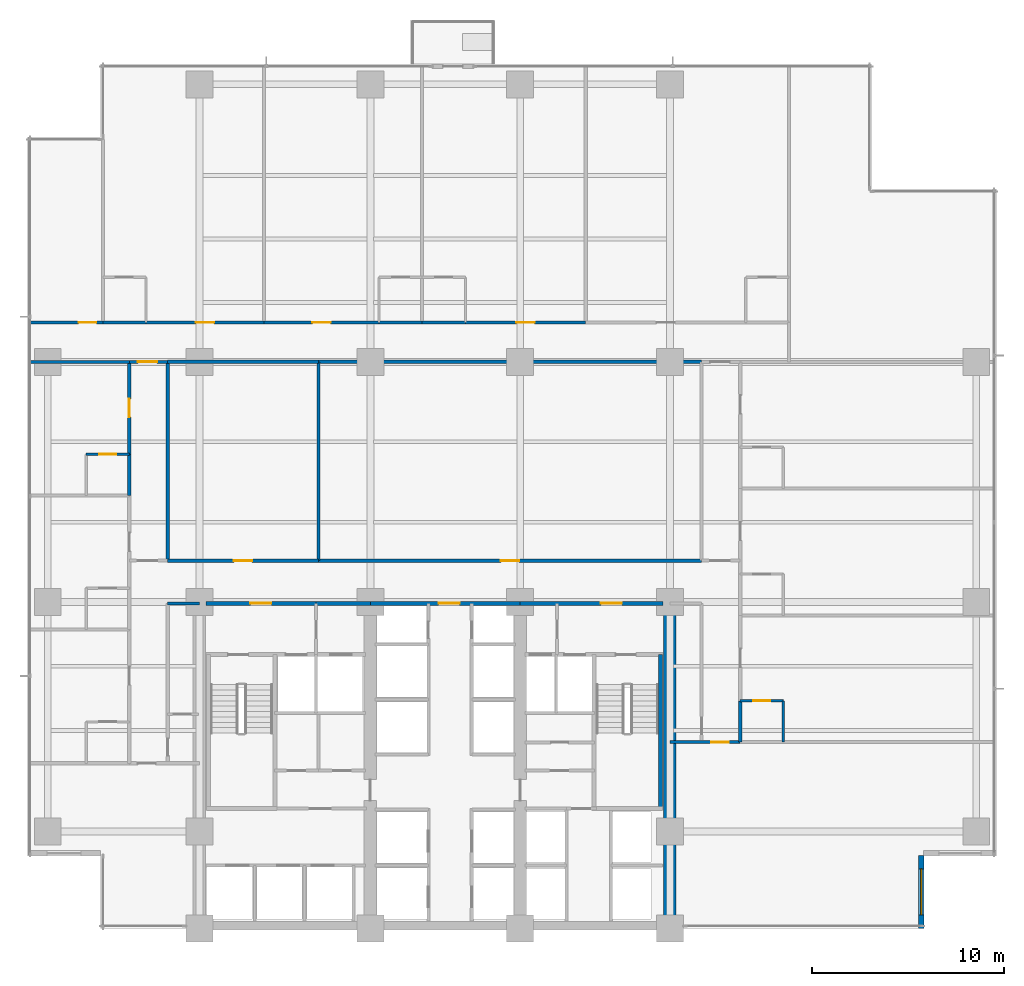
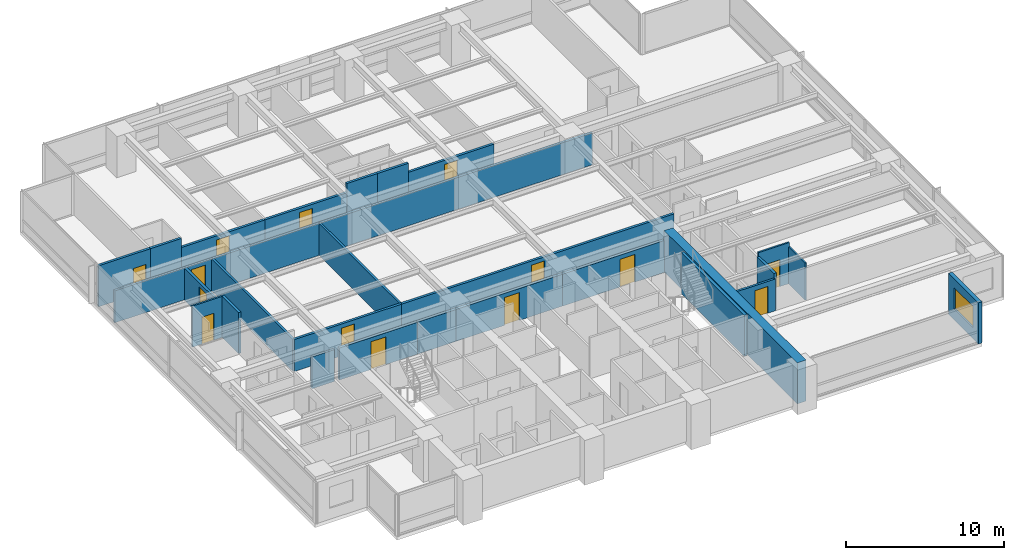
# One storey, part 9 of 16: 30 walls, 14 doors, 1 window, 15 openings.
"""IFC4 building model written with IfcOpenShell, lengths in metres."""

import ifcopenshell
import ifcopenshell.guid

model = None  # the IFC model being written
_history = None  # IfcOwnerHistory: only IFC2X3 demands one
_inside = {}  # id of a spatial element -> (the spatial element, [elements in it])
_under = {}  # id of a project, library or spatial element -> (it, [spatial elements below it])
_declared = {}  # id of a project -> (the project, [libraries it declares])
_typed = {}  # id of a type object -> (the type object, [elements of that type])
_made_of = {}  # id of a material, layer set ... -> (it, [elements and type objects made of it])


def new_model(schema):
    """Start an empty IFC model of exactly this schema.

    Asked for "IFC4X3", IfcOpenShell would pick the latest addendum, in which some entities
    have other attributes; the version numbers below select the first issue.
    IFC2X3 requires an IfcOwnerHistory on every rooted entity: one is made here for all.
    """
    global model, _history
    if schema == "IFC4X3":
        model = ifcopenshell.file(schema_version=(4, 3, 0, 0))
    else:
        model = ifcopenshell.file(schema=schema)
    _inside.clear()
    _under.clear()
    _declared.clear()
    _typed.clear()
    _made_of.clear()
    _history = None
    if model.schema == "IFC2X3":
        org = make("IfcOrganization", Name="unknown")
        user = make(
            "IfcPersonAndOrganization",
            ThePerson=make("IfcPerson", FamilyName="unknown"),
            TheOrganization=org,
        )
        app = make(
            "IfcApplication",
            ApplicationDeveloper=org,
            Version="unknown",
            ApplicationFullName="unknown",
            ApplicationIdentifier="unknown",
        )
        _history = make(
            "IfcOwnerHistory",
            OwningUser=user,
            OwningApplication=app,
            ChangeAction="ADDED",
            CreationDate=0,
        )
    return model


def make(cls, **values):
    """One entity of the class cls with the attributes given. An attribute that is None is left unset."""
    return model.create_entity(
        cls, **{name: value for name, value in values.items() if value is not None}
    )


def rooted(cls, **values):
    """An entity with a GlobalId (a new one), such as an element, a storey or a relation."""
    return make(cls, GlobalId=ifcopenshell.guid.new(), OwnerHistory=_history, **values)


def si_unit(unit_type, name, prefix=None):
    """IfcSIUnit, for example si_unit("LENGTHUNIT", "METRE", prefix="MILLI")."""
    return make("IfcSIUnit", UnitType=unit_type, Prefix=prefix, Name=name)


def assignment(units):
    """IfcUnitAssignment: the units of a project."""
    return None if units is None else make("IfcUnitAssignment", Units=units)


def point(xyz):
    """IfcCartesianPoint."""
    return None if xyz is None else make("IfcCartesianPoint", Coordinates=xyz)


def direction(xyz):
    """IfcDirection."""
    return None if xyz is None else make("IfcDirection", DirectionRatios=xyz)


def frame(location, z_axis=None, x_axis=None):
    """IfcAxis2Placement3D, a coordinate frame: its origin and axes. An axis left out is left unset."""
    return make(
        "IfcAxis2Placement3D",
        Location=point(location),
        Axis=direction(z_axis),
        RefDirection=direction(x_axis),
    )


def frame_2d(location, x_axis=None):
    """IfcAxis2Placement2D, a coordinate frame in the plane: its origin and x axis."""
    return make(
        "IfcAxis2Placement2D", Location=point(location), RefDirection=direction(x_axis)
    )


def origin():
    """The frame at (0, 0, 0) with its axes left unset."""
    return frame((0.0, 0.0, 0.0))


def place(relative_to, where):
    """IfcLocalPlacement: puts the frame where relative to a parent placement (None: the world)."""
    return make(
        "IfcLocalPlacement", PlacementRelTo=relative_to, RelativePlacement=where
    )


def context(
    kind, dimensions, precision=None, world=None, true_north=None, identifier=None
):
    """IfcGeometricRepresentationContext, for example the 3D "Model" context."""
    return make(
        "IfcGeometricRepresentationContext",
        ContextIdentifier=identifier,
        ContextType=kind,
        CoordinateSpaceDimension=dimensions,
        Precision=precision,
        WorldCoordinateSystem=world,
        TrueNorth=true_north,
    )


def subcontext(parent, identifier, kind, view, scale=None):
    """IfcGeometricRepresentationSubContext, for example "Body" below "Model"."""
    return make(
        "IfcGeometricRepresentationSubContext",
        ContextIdentifier=identifier,
        ContextType=kind,
        ParentContext=parent,
        TargetScale=scale,
        TargetView=view,
    )


def project(units=None, contexts=None):
    """IfcProject with its units and contexts."""
    return rooted(
        "IfcProject",
        Name="project",
        RepresentationContexts=contexts,
        UnitsInContext=assignment(units),
    )


def spatial(cls, under=None, at=None, **own):
    """A site, building, storey or space (cls), placed at a placement, below another one or the project."""
    s = rooted(cls, ObjectPlacement=at, **own)
    if under is not None:
        _under.setdefault(under.id(), (under, []))[1].append(s)
    return s


def profile(cls, at=None, kind="AREA", **sizes):
    """A parametric profile (cls). Its sizes go by their IFC names, for example OverallWidth=200.0."""
    return make(cls, ProfileType=kind, Position=at, **sizes)


def rectangle(**sizes):
    """IfcRectangleProfileDef."""
    return profile("IfcRectangleProfileDef", **sizes)


def extrude(swept, where, along, depth):
    """IfcExtrudedAreaSolid: the profile swept, set in the frame where, extruded along a direction by depth."""
    return make(
        "IfcExtrudedAreaSolid",
        SweptArea=swept,
        Position=where,
        ExtrudedDirection=direction(along),
        Depth=depth,
    )


def shape(context_of_items, identifier, shape_type, items):
    """IfcShapeRepresentation: the items that make up one representation, for example the "Body"."""
    return make(
        "IfcShapeRepresentation",
        ContextOfItems=context_of_items,
        RepresentationIdentifier=identifier,
        RepresentationType=shape_type,
        Items=items,
    )


def material(Name=None, Category=None):
    """IfcMaterial."""
    return make("IfcMaterial", Name=Name, Category=Category)


def layer(
    of_material, thickness, ventilated=None, Name=None, Category=None, Priority=None
):
    """IfcMaterialLayer: one layer of a wall or slab, of a material (None: an air gap)."""
    return make(
        "IfcMaterialLayer",
        Material=of_material,
        LayerThickness=thickness,
        IsVentilated=ventilated,
        Name=Name,
        Category=Category,
        Priority=Priority,
    )


def layer_set(layers, Name=None):
    """IfcMaterialLayerSet."""
    return make("IfcMaterialLayerSet", MaterialLayers=layers, LayerSetName=Name)


def made_of(thing, what):
    """Note that an element or type object is made of a material, layer set ...; save() writes the relation."""
    if what is not None:
        _made_of.setdefault(what.id(), (what, []))[1].append(thing)
    return thing


def type_object(cls, material=None, **own):
    """A type object (cls), such as IfcWallType, which elements share."""
    return made_of(rooted(cls, **own), material)


def element(
    cls,
    number,
    at=None,
    inside=None,
    cuts=None,
    type_object=None,
    material=None,
    context=None,
    identifier="Body",
    shape_type=None,
    held_by="IfcProductDefinitionShape",
    body=None,
    shapes=None,
    **own,
):
    """One element of the class cls, such as IfcWall. Its Tag is "e" and its number.

    at: its placement. inside: the storey or other place that contains it. cuts: it is an
    opening in that element (IfcRelVoidsElement). A single representation is given by context,
    identifier, shape_type and body (its items); several are given by shapes. held_by: the class
    of the entity that holds the representations. save() writes the other relations.
    """
    e = rooted(cls, Tag="e%d" % number, ObjectPlacement=at, **own)
    if body is not None:
        shapes = [shape(context, identifier, shape_type, body)]
    if shapes is not None:
        e.Representation = make(held_by, Representations=shapes)
    if inside is not None:
        _inside.setdefault(inside.id(), (inside, []))[1].append(e)
    if cuts is not None:
        rooted(
            "IfcRelVoidsElement", RelatingBuildingElement=cuts, RelatedOpeningElement=e
        )
    if type_object is not None:
        _typed.setdefault(type_object.id(), (type_object, []))[1].append(e)
    return made_of(e, material)


def fill(opening, filler):
    """IfcRelFillsElement: the door or window that sits in an opening."""
    return rooted(
        "IfcRelFillsElement",
        RelatingOpeningElement=opening,
        RelatedBuildingElement=filler,
    )


def aggregate(whole, parts):
    """IfcRelAggregates: a whole, such as a stair, and the parts it consists of."""
    return rooted("IfcRelAggregates", RelatingObject=whole, RelatedObjects=parts)


def save(model, path):
    """Write the relations noted so far, then the file.

    IfcRelAggregates (storeys below a building ...), IfcRelContainedInSpatialStructure (elements
    in a storey), IfcRelDefinesByType, IfcRelAssociatesMaterial and IfcRelDeclares: one each for
    every whole, place, type object, material and project.
    """
    for whole, parts in _under.values():
        aggregate(whole, parts)
    for where, things in _inside.values():
        rooted(
            "IfcRelContainedInSpatialStructure",
            RelatedElements=things,
            RelatingStructure=where,
        )
    for kind, things in _typed.values():
        rooted("IfcRelDefinesByType", RelatedObjects=things, RelatingType=kind)
    for what, things in _made_of.values():
        rooted("IfcRelAssociatesMaterial", RelatedObjects=things, RelatingMaterial=what)
    for by, libraries in _declared.values():
        rooted("IfcRelDeclares", RelatingContext=by, RelatedDefinitions=libraries)
    model.write(path)


model = new_model("IFC4")

# Units and contexts
model_context = context("Model", 3, precision=1e-05, world=origin(), true_north=direction((0.0, 1.0)))
body_context = subcontext(model_context, "Body", "Model", "MODEL_VIEW")
ifc_project = project(units=[si_unit("LENGTHUNIT", "METRE"), si_unit("AREAUNIT", "SQUARE_METRE"), si_unit("VOLUMEUNIT", "CUBIC_METRE"), si_unit("PLANEANGLEUNIT", "RADIAN"), si_unit("MASSUNIT", "GRAM", prefix="KILO")], contexts=[model_context])

# Site, building, storey
site_placement = place(None, origin())
site = spatial("IfcSite", under=ifc_project, at=site_placement, CompositionType="ELEMENT")
building_placement = place(site_placement, origin())
building = spatial("IfcBuilding", under=site, at=building_placement, Name="Qalmaran Belvedere Hotel", CompositionType="ELEMENT")
storey_placement = place(building_placement, frame((0.0, 0.0, 71.89990234375)))
storey = spatial("IfcBuildingStorey", under=building, at=storey_placement, Name="L18", CompositionType="ELEMENT", Elevation=71.89990234375)

# Wall
ifc_material_1 = material(Name="Concrete C60/75", Category="concrete")
ifc_layer_1 = layer(ifc_material_1, 0.64990234375, Name="Concrete C60/75")
ifc_layer_set_1 = layer_set([ifc_layer_1], Name="Concrete C60/75")
wall_type_1 = type_object("IfcWallType", Name="WL-CORE-650-C60", PredefinedType="SHEAR", material=ifc_layer_set_1)
wall_1_placement = place(storey_placement, frame((44.800048828125, 3.5, 0.0), z_axis=(0.0, 0.0, 1.0), x_axis=(0.0, 1.0, 0.0)))
element("IfcWall", 1, at=wall_1_placement, inside=storey, type_object=wall_type_1, Name="L18 East Core Shear Wall", PredefinedType="SHEAR", context=body_context, shape_type="SweptSolid", body=[
    extrude(rectangle(XDim=16.89990234375, YDim=0.64990234375, at=frame_2d((8.449951171875, 0.0))), origin(), (0.0, 0.0, 1.0), 3.18017578125),
])

# Wall, opening, window
ifc_material_2 = material(Name="Anodised Bronze Cladding")
ifc_layer_2 = layer(ifc_material_2, 0.280029296875, Name="Anodised Bronze Cladding")
ifc_layer_set_2 = layer_set([ifc_layer_2], Name="Anodised Bronze Cladding")
wall_type_2 = type_object("IfcWallType", Name="WL-EXT-BRNZ-280", PredefinedType="SOLIDWALL", material=ifc_layer_set_2)
wall_2_placement = place(storey_placement, frame((57.8798828125, 3.5, 0.0), z_axis=(0.0, 0.0, 1.0), x_axis=(0.0, 1.0, 0.0)))
wall_2 = element("IfcWall", 2, at=wall_2_placement, inside=storey, type_object=wall_type_2, Name="L18 Corner Notch Wall 1", PredefinedType="SOLIDWALL", context=body_context, shape_type="SweptSolid", body=[
    extrude(rectangle(XDim=3.800048828125, YDim=0.280029296875, at=frame_2d((1.89990234375, 0.0))), origin(), (0.0, 0.0, 1.0), 3.18017578125),
])
opening_1_placement = place(wall_2_placement, frame((0.699951171875, 0.0, 0.85009765625)))
opening_1 = element("IfcOpeningElement", 3, at=opening_1_placement, cuts=wall_2, Name="Opening W-N24", PredefinedType="OPENING", context=body_context, shape_type="SweptSolid", body=[
    extrude(rectangle(XDim=2.39990234375, YDim=1.64990234375, at=frame_2d((1.199951171875, 0.824951171875))), frame((0.0, 0.14990234375, 0.0), z_axis=(0.0, -1.0, 0.0), x_axis=(1.0, 0.0, 0.0)), (0.0, 0.0, 1.0), 0.300048828125),
])
ifc_material_3 = material(Name="Solar-Control Double Glazing", Category="glass")
window_type = type_object("IfcWindowType", Name="WN-NTC-2400X1650", PartitioningType="SINGLE_PANEL", PredefinedType="WINDOW", material=ifc_material_3)
window_placement = place(opening_1_placement, origin())
window = element("IfcWindow", 4, at=window_placement, inside=storey, type_object=window_type, Name="L18 Corner Notch Window 1", OverallHeight=1.64990234375, OverallWidth=2.39990234375, PartitioningType="SINGLE_PANEL", PredefinedType="WINDOW", context=body_context, shape_type="SweptSolid", body=[
    extrude(rectangle(XDim=2.39990234375, YDim=1.64990234375, at=frame_2d((1.199951171875, 0.824951171875))), frame((0.0, 0.030029296875, 0.0), z_axis=(0.0, -1.0, 0.0), x_axis=(1.0, 0.0, 0.0)), (0.0, 0.0, 1.0), 0.06005859375),
])
fill(opening_1, window)

# Wall, opening, door
ifc_material_4 = material(Name="Moisture-Resistant Gypsum")
ifc_layer_3 = layer(ifc_material_4, 0.1201171875, Name="Moisture-Resistant Gypsum")
ifc_layer_set_3 = layer_set([ifc_layer_3], Name="Moisture-Resistant Gypsum")
wall_type_3 = type_object("IfcWallType", Name="WL-INT-120-BATH", PredefinedType="PARTITIONING", material=ifc_layer_set_3)
wall_3_placement = place(storey_placement, frame((14.39990234375, 28.183349609375, 0.0), z_axis=(0.0, 0.0, 1.0), x_axis=(1.0, 0.0, 0.0)))
wall_3 = element("IfcWall", 5, at=wall_3_placement, inside=storey, type_object=wall_type_3, Name="L18 Partition WL-L18-WBN02", PredefinedType="PARTITIONING", context=body_context, shape_type="SweptSolid", body=[
    extrude(rectangle(XDim=2.25, YDim=0.1201171875, at=frame_2d((1.125, 0.0))), origin(), (0.0, 0.0, 1.0), 3.18017578125),
])
opening_2_placement = place(wall_3_placement, frame((1.56494140625, 0.0, 0.0), z_axis=(0.0, 0.0, 1.0), x_axis=(-1.0, 0.0, 0.0)))
opening_2 = element("IfcOpeningElement", 6, at=opening_2_placement, cuts=wall_3, Name="Opening D-BATH", PredefinedType="OPENING", context=body_context, shape_type="SweptSolid", body=[
    extrude(rectangle(XDim=0.8798828125, YDim=2.080078125, at=frame_2d((0.43994140625, 1.0400390625))), frame((0.0, 0.070068359375, 0.0), z_axis=(0.0, -1.0, 0.0), x_axis=(1.0, 0.0, 0.0)), (0.0, 0.0, 1.0), 0.14013671875),
])
ifc_material_5 = material(Name="Engineered Oak Veneer")
door_type_1 = type_object("IfcDoorType", Name="DR-INT-BATH-880X2080", OperationType="NOTDEFINED", PredefinedType="DOOR", material=ifc_material_5)
door_1_placement = place(opening_2_placement, origin())
door_1 = element("IfcDoor", 7, at=door_1_placement, inside=storey, type_object=door_type_1, Name="L18 W Ensuite Door 03", OperationType="SINGLE_SWING_RIGHT", OverallHeight=2.080078125, OverallWidth=0.8798828125, PredefinedType="DOOR", context=body_context, shape_type="SweptSolid", body=[
    extrude(rectangle(XDim=0.8798828125, YDim=2.080078125, at=frame_2d((0.43994140625, 1.0400390625))), frame((0.0, 0.02490234375, 0.0), z_axis=(0.0, -1.0, 0.0), x_axis=(1.0, 0.0, 0.0)), (0.0, 0.0, 1.0), 0.050048828125),
])
fill(opening_2, door_1)

wall_4_placement = place(storey_placement, frame((48.449951171875, 15.35009765625, 0.0), z_axis=(0.0, 0.0, 1.0), x_axis=(1.0, 0.0, 0.0)))
wall_4 = element("IfcWall", 8, at=wall_4_placement, inside=storey, type_object=wall_type_3, Name="L18 Partition WL-L18-EBN00", PredefinedType="PARTITIONING", context=body_context, shape_type="SweptSolid", body=[
    extrude(rectangle(XDim=2.25, YDim=0.1201171875, at=frame_2d((1.125, 0.0))), origin(), (0.0, 0.0, 1.0), 3.18017578125),
])
opening_3_placement = place(wall_4_placement, frame((1.56494140625, 0.0, 0.0), z_axis=(0.0, 0.0, 1.0), x_axis=(-1.0, 0.0, 0.0)))
opening_3 = element("IfcOpeningElement", 9, at=opening_3_placement, cuts=wall_4, Name="Opening D-BATH", PredefinedType="OPENING", context=body_context, shape_type="SweptSolid", body=[
    extrude(rectangle(XDim=0.8798828125, YDim=2.080078125, at=frame_2d((0.43994140625, 1.0400390625))), frame((0.0, 0.070068359375, 0.0), z_axis=(0.0, -1.0, 0.0), x_axis=(1.0, 0.0, 0.0)), (0.0, 0.0, 1.0), 0.14013671875),
])
door_2_placement = place(opening_3_placement, origin())
door_2 = element("IfcDoor", 10, at=door_2_placement, inside=storey, type_object=door_type_1, Name="L18 E Ensuite Door 01", OperationType="SINGLE_SWING_RIGHT", OverallHeight=2.080078125, OverallWidth=0.8798828125, PredefinedType="DOOR", context=body_context, shape_type="SweptSolid", body=[
    extrude(rectangle(XDim=0.8798828125, YDim=2.080078125, at=frame_2d((0.43994140625, 1.0400390625))), frame((0.0, 0.02490234375, 0.0), z_axis=(0.0, -1.0, 0.0), x_axis=(1.0, 0.0, 0.0)), (0.0, 0.0, 1.0), 0.050048828125),
])
fill(opening_3, door_2)

# Wall
wall_5_placement = place(storey_placement, frame((50.699951171875, 13.199951171875, 0.0), z_axis=(0.0, 0.0, 1.0), x_axis=(0.0, 1.0, 0.0)))
element("IfcWall", 11, at=wall_5_placement, inside=storey, type_object=wall_type_3, Name="L18 Partition WL-L18-EBS00", PredefinedType="PARTITIONING", context=body_context, shape_type="SweptSolid", body=[
    extrude(rectangle(XDim=2.150146484375, YDim=0.1201171875, at=frame_2d((1.0751953125, 0.0))), origin(), (0.0, 0.0, 1.0), 2.862060546875),
])

# Wall, opening, door
ifc_material_6 = material(Name="Gypsum Stud Partition")
ifc_layer_4 = layer(ifc_material_6, 0.14990234375, Name="Gypsum Stud Partition")
ifc_layer_set_4 = layer_set([ifc_layer_4], Name="Gypsum Stud Partition")
wall_type_4 = type_object("IfcWallType", Name="WL-INT-150-EI60", PredefinedType="PARTITIONING", material=ifc_layer_set_4)
wall_6_placement = place(storey_placement, frame((16.64990234375, 33.0, 0.0), z_axis=(0.0, 0.0, 1.0), x_axis=(1.0, 0.0, 0.0)))
wall_6 = element("IfcWall", 12, at=wall_6_placement, inside=storey, type_object=wall_type_4, Name="L18 Partition WL-L18-XCW2", PredefinedType="PARTITIONING", context=body_context, shape_type="SweptSolid", body=[
    extrude(rectangle(XDim=2.0, YDim=0.14990234375, at=frame_2d((1.0, 0.0))), origin(), (0.0, 0.0, 1.0), 2.47021484375),
])
opening_4_placement = place(wall_6_placement, frame((0.449951171875, 0.0, 0.0)))
opening_4 = element("IfcOpeningElement", 13, at=opening_4_placement, cuts=wall_6, Name="Opening FD90B", PredefinedType="OPENING", context=body_context, shape_type="SweptSolid", body=[
    extrude(rectangle(XDim=1.0, YDim=2.14990234375, at=frame_2d((0.5, 1.074951171875))), frame((0.0, 0.0849609375, 0.0), z_axis=(0.0, -1.0, 0.0), x_axis=(1.0, 0.0, 0.0)), (0.0, 0.0, 1.0), 0.169921875),
])
ifc_material_7 = material(Name="Steel S355JR", Category="steel")
door_type_2 = type_object("IfcDoorType", Name="DR-FD90B-1000X2150", OperationType="NOTDEFINED", PredefinedType="DOOR", material=ifc_material_7)
door_3_placement = place(opening_4_placement, origin())
door_3 = element("IfcDoor", 14, at=door_3_placement, inside=storey, type_object=door_type_2, Name="L18 West Corridor Smoke Door N", OperationType="SINGLE_SWING_LEFT", OverallHeight=2.14990234375, OverallWidth=1.0, PredefinedType="DOOR", context=body_context, shape_type="SweptSolid", body=[
    extrude(rectangle(XDim=1.0, YDim=2.14990234375, at=frame_2d((0.5, 1.074951171875))), frame((0.0, 0.02490234375, 0.0), z_axis=(0.0, -1.0, 0.0), x_axis=(1.0, 0.0, 0.0)), (0.0, 0.0, 1.0), 0.050048828125),
])
fill(opening_4, door_3)

ifc_layer_5 = layer(ifc_material_6, 0.159912109375, Name="Gypsum Stud Partition")
ifc_layer_set_5 = layer_set([ifc_layer_5], Name="Gypsum Stud Partition")
wall_type_5 = type_object("IfcWallType", Name="WL-INT-160-EI60", PredefinedType="PARTITIONING", material=ifc_layer_set_5)
wall_7_placement = place(storey_placement, frame((44.800048828125, 13.199951171875, 0.0), z_axis=(0.0, 0.0, 1.0), x_axis=(1.0, 0.0, 0.0)))
wall_7 = element("IfcWall", 15, at=wall_7_placement, inside=storey, type_object=wall_type_5, Name="L18 Partition WL-L18-SERL", PredefinedType="PARTITIONING", context=body_context, shape_type="SweptSolid", body=[
    extrude(rectangle(XDim=3.64990234375, YDim=0.159912109375, at=frame_2d((1.824951171875, 0.0))), origin(), (0.0, 0.0, 1.0), 2.47021484375),
])
opening_5_placement = place(wall_7_placement, frame((3.06982421875, 0.0, 0.0), z_axis=(0.0, 0.0, 1.0), x_axis=(-1.0, 0.0, 0.0)))
opening_5 = element("IfcOpeningElement", 16, at=opening_5_placement, cuts=wall_7, Name="Opening FD60S1", PredefinedType="OPENING", context=body_context, shape_type="SweptSolid", body=[
    extrude(rectangle(XDim=0.919921875, YDim=2.080078125, at=frame_2d((0.4599609375, 1.0400390625))), frame((0.0, 0.08984375, 0.0), z_axis=(0.0, -1.0, 0.0), x_axis=(1.0, 0.0, 0.0)), (0.0, 0.0, 1.0), 0.179931640625),
])
door_type_3 = type_object("IfcDoorType", Name="DR-FD60S-920X2080", OperationType="NOTDEFINED", PredefinedType="DOOR", material=ifc_material_5)
door_4_placement = place(opening_5_placement, origin())
door_4 = element("IfcDoor", 17, at=door_4_placement, inside=storey, type_object=door_type_3, Name="L18 SE Lounge Door", OperationType="SINGLE_SWING_LEFT", OverallHeight=2.080078125, OverallWidth=0.919921875, PredefinedType="DOOR", context=body_context, shape_type="SweptSolid", body=[
    extrude(rectangle(XDim=0.919921875, YDim=2.080078125, at=frame_2d((0.4599609375, 1.0400390625))), frame((0.0, 0.02490234375, 0.0), z_axis=(0.0, -1.0, 0.0), x_axis=(1.0, 0.0, 0.0)), (0.0, 0.0, 1.0), 0.050048828125),
])
fill(opening_5, door_4)

# Walls
wall_8_placement = place(storey_placement, frame((18.64990234375, 20.419921875, 0.0), z_axis=(0.0, 0.0, 1.0), x_axis=(1.0, 0.0, 0.0)))
element("IfcWall", 18, at=wall_8_placement, inside=storey, type_object=wall_type_5, Name="L18 Partition WL-L18-WCLN", PredefinedType="PARTITIONING", context=body_context, shape_type="SweptSolid", body=[
    extrude(rectangle(XDim=1.650146484375, YDim=0.159912109375, at=frame_2d((0.8251953125, 0.0))), origin(), (0.0, 0.0, 1.0), 2.47021484375),
])
for number, where, z_axis, x_axis, name in (
    (19, (18.64990234375, 22.64990234375, 0.0), (0.0, 0.0, 1.0), (0.0, 1.0, 0.0), "L18 Partition WL-L18-MIDVL"),
    (20, (26.5, 22.64990234375, 0.0), (0.0, 0.0, 1.0), (0.0, 1.0, 0.0), "L18 Partition WL-L18-MIDVR1"),
):
    element("IfcWall", number, at=place(storey_placement, frame(where, z_axis=z_axis, x_axis=x_axis)), inside=storey, type_object=wall_type_5, Name=name, PredefinedType="PARTITIONING", context=body_context, shape_type="SweptSolid", body=[
        extrude(rectangle(XDim=10.35009765625, YDim=0.159912109375, at=frame_2d((5.175048828125, 0.0))), origin(), (0.0, 0.0, 1.0), 2.47021484375),
    ])
wall_9_placement = place(storey_placement, frame((11.469970703125, 33.0, 0.0), z_axis=(0.0, 0.0, 1.0), x_axis=(1.0, 0.0, 0.0)))
element("IfcWall", 21, at=wall_9_placement, inside=storey, type_object=wall_type_5, Name="L18 Partition WL-L18-WU02", PredefinedType="PARTITIONING", context=body_context, shape_type="SweptSolid", body=[
    extrude(rectangle(XDim=5.179931640625, YDim=0.159912109375, at=frame_2d((2.58984375, 0.0))), origin(), (0.0, 0.0, 1.0), 2.47021484375),
])

# Wall, opening, door
ifc_layer_6 = layer(ifc_material_6, 0.179931640625, Name="Gypsum Stud Partition")
ifc_layer_set_6 = layer_set([ifc_layer_6], Name="Gypsum Stud Partition")
wall_type_6 = type_object("IfcWallType", Name="WL-INT-180-EI60", PredefinedType="PARTITIONING", material=ifc_layer_set_6)
wall_10_placement = place(storey_placement, frame((18.64990234375, 22.64990234375, 0.0), z_axis=(0.0, 0.0, 1.0), x_axis=(1.0, 0.0, 0.0)))
wall_10 = element("IfcWall", 22, at=wall_10_placement, inside=storey, type_object=wall_type_6, Name="L18 Partition WL-L18-MIDD1", PredefinedType="PARTITIONING", context=body_context, shape_type="SweptSolid", body=[
    extrude(rectangle(XDim=7.85009765625, YDim=0.179931640625, at=frame_2d((3.925048828125, 0.0))), origin(), (0.0, 0.0, 1.0), 2.47021484375),
])
opening_6_placement = place(wall_10_placement, frame((3.449951171875, 0.0, 0.0)))
opening_6 = element("IfcOpeningElement", 23, at=opening_6_placement, cuts=wall_10, Name="Opening FD60", PredefinedType="OPENING", context=body_context, shape_type="SweptSolid", body=[
    extrude(rectangle(XDim=0.949951171875, YDim=2.14990234375, at=frame_2d((0.47509765625, 1.074951171875))), frame((0.0, 0.10009765625, 0.0), z_axis=(0.0, -1.0, 0.0), x_axis=(1.0, 0.0, 0.0)), (0.0, 0.0, 1.0), 0.199951171875),
])
door_type_4 = type_object("IfcDoorType", Name="DR-FD60-950X2150", OperationType="NOTDEFINED", PredefinedType="DOOR", material=ifc_material_5)
door_5_placement = place(opening_6_placement, origin())
door_5 = element("IfcDoor", 24, at=door_5_placement, inside=storey, type_object=door_type_4, Name="L18 Housekeeping and Linen Room Door", OperationType="SINGLE_SWING_RIGHT", OverallHeight=2.14990234375, OverallWidth=0.949951171875, PredefinedType="DOOR", context=body_context, shape_type="SweptSolid", body=[
    extrude(rectangle(XDim=0.949951171875, YDim=2.14990234375, at=frame_2d((0.47509765625, 1.074951171875))), frame((0.0, 0.02490234375, 0.0), z_axis=(0.0, -1.0, 0.0), x_axis=(1.0, 0.0, 0.0)), (0.0, 0.0, 1.0), 0.050048828125),
])
fill(opening_6, door_5)

# Wall
wall_11_placement = place(storey_placement, frame((18.64990234375, 33.0, 0.0), z_axis=(0.0, 0.0, 1.0), x_axis=(1.0, 0.0, 0.0)))
element("IfcWall", 25, at=wall_11_placement, inside=storey, type_object=wall_type_6, Name="L18 Partition WL-L18-MIDO1", PredefinedType="PARTITIONING", context=body_context, shape_type="SweptSolid", body=[
    extrude(rectangle(XDim=7.85009765625, YDim=0.179931640625, at=frame_2d((3.925048828125, 0.0))), origin(), (0.0, 0.0, 1.0), 2.47021484375),
])

# Wall, opening, door
wall_12_placement = place(storey_placement, frame((26.5, 22.64990234375, 0.0), z_axis=(0.0, 0.0, 1.0), x_axis=(1.0, 0.0, 0.0)))
wall_12 = element("IfcWall", 26, at=wall_12_placement, inside=storey, type_object=wall_type_6, Name="L18 Partition WL-L18-MIDD2", PredefinedType="PARTITIONING", context=body_context, shape_type="SweptSolid", body=[
    extrude(rectangle(XDim=19.949951171875, YDim=0.179931640625, at=frame_2d((9.97509765625, 0.0))), origin(), (0.0, 0.0, 1.0), 2.47021484375),
])
opening_7_placement = place(wall_12_placement, frame((9.5, 0.0, 0.0)))
opening_7 = element("IfcOpeningElement", 27, at=opening_7_placement, cuts=wall_12, Name="Opening FD60", PredefinedType="OPENING", context=body_context, shape_type="SweptSolid", body=[
    extrude(rectangle(XDim=0.949951171875, YDim=2.14990234375, at=frame_2d((0.47509765625, 1.074951171875))), frame((0.0, 0.10009765625, 0.0), z_axis=(0.0, -1.0, 0.0), x_axis=(1.0, 0.0, 0.0)), (0.0, 0.0, 1.0), 0.199951171875),
])
door_6_placement = place(opening_7_placement, origin())
door_6 = element("IfcDoor", 28, at=door_6_placement, inside=storey, type_object=door_type_4, Name="L18 Diplomatic Lounge Door", OperationType="SINGLE_SWING_LEFT", OverallHeight=2.14990234375, OverallWidth=0.949951171875, PredefinedType="DOOR", context=body_context, shape_type="SweptSolid", body=[
    extrude(rectangle(XDim=0.949951171875, YDim=2.14990234375, at=frame_2d((0.47509765625, 1.074951171875))), frame((0.0, 0.02490234375, 0.0), z_axis=(0.0, -1.0, 0.0), x_axis=(1.0, 0.0, 0.0)), (0.0, 0.0, 1.0), 0.050048828125),
])
fill(opening_7, door_6)

# Walls
wall_13_placement = place(storey_placement, frame((26.5, 33.0, 0.0), z_axis=(0.0, 0.0, 1.0), x_axis=(1.0, 0.0, 0.0)))
element("IfcWall", 29, at=wall_13_placement, inside=storey, type_object=wall_type_6, Name="L18 Partition WL-L18-MIDO2", PredefinedType="PARTITIONING", context=body_context, shape_type="SweptSolid", body=[
    extrude(rectangle(XDim=19.949951171875, YDim=0.179931640625, at=frame_2d((9.97509765625, 0.0))), origin(), (0.0, 0.0, 1.0), 2.47021484375),
])
wall_14_placement = place(storey_placement, frame((15.27001953125, 35.050048828125, 0.0), z_axis=(0.0, 0.0, 1.0), x_axis=(1.0, 0.0, 0.0)))
element("IfcWall", 30, at=wall_14_placement, inside=storey, type_object=wall_type_6, Name="L18 Partition WL-L18-NBC00", PredefinedType="PARTITIONING", context=body_context, shape_type="SweptSolid", body=[
    extrude(rectangle(XDim=2.25, YDim=0.179931640625, at=frame_2d((1.125, 0.0))), origin(), (0.0, 0.0, 1.0), 3.18017578125),
])

# Wall, opening, door
wall_15_placement = place(storey_placement, frame((17.52001953125, 35.050048828125, 0.0), z_axis=(0.0, 0.0, 1.0), x_axis=(1.0, 0.0, 0.0)))
wall_15 = element("IfcWall", 31, at=wall_15_placement, inside=storey, type_object=wall_type_6, Name="L18 Partition WL-L18-NEC00", PredefinedType="PARTITIONING", context=body_context, shape_type="SweptSolid", body=[
    extrude(rectangle(XDim=6.131103515625, YDim=0.179931640625, at=frame_2d((3.0654296875, 0.0))), origin(), (0.0, 0.0, 1.0), 2.47021484375),
])
opening_8_placement = place(wall_15_placement, frame((2.590576171875, 0.0, 0.0)))
opening_8 = element("IfcOpeningElement", 32, at=opening_8_placement, cuts=wall_15, Name="Opening FD60", PredefinedType="OPENING", context=body_context, shape_type="SweptSolid", body=[
    extrude(rectangle(XDim=0.949951171875, YDim=2.14990234375, at=frame_2d((0.47509765625, 1.074951171875))), frame((0.0, 0.10009765625, 0.0), z_axis=(0.0, -1.0, 0.0), x_axis=(1.0, 0.0, 0.0)), (0.0, 0.0, 1.0), 0.199951171875),
])
door_7_placement = place(opening_8_placement, origin())
door_7 = element("IfcDoor", 33, at=door_7_placement, inside=storey, type_object=door_type_4, Name="L18 Guest Entrance Door N01", OperationType="SINGLE_SWING_LEFT", OverallHeight=2.14990234375, OverallWidth=0.949951171875, PredefinedType="DOOR", context=body_context, shape_type="SweptSolid", body=[
    extrude(rectangle(XDim=0.949951171875, YDim=2.14990234375, at=frame_2d((0.47509765625, 1.074951171875))), frame((0.0, 0.02490234375, 0.0), z_axis=(0.0, -1.0, 0.0), x_axis=(1.0, 0.0, 0.0)), (0.0, 0.0, 1.0), 0.050048828125),
])
fill(opening_8, door_7)

# Wall
wall_16_placement = place(storey_placement, frame((29.64990234375, 35.050048828125, 0.0), z_axis=(0.0, 0.0, 1.0), x_axis=(1.0, 0.0, 0.0)))
element("IfcWall", 34, at=wall_16_placement, inside=storey, type_object=wall_type_6, Name="L18 Partition WL-L18-NBC01", PredefinedType="PARTITIONING", context=body_context, shape_type="SweptSolid", body=[
    extrude(rectangle(XDim=2.25, YDim=0.179931640625, at=frame_2d((1.125, 0.0))), origin(), (0.0, 0.0, 1.0), 3.18017578125),
])

# Wall, opening, door
wall_17_placement = place(storey_placement, frame((23.651123046875, 35.050048828125, 0.0), z_axis=(0.0, 0.0, 1.0), x_axis=(1.0, 0.0, 0.0)))
wall_17 = element("IfcWall", 35, at=wall_17_placement, inside=storey, type_object=wall_type_6, Name="L18 Partition WL-L18-NEC01", PredefinedType="PARTITIONING", context=body_context, shape_type="SweptSolid", body=[
    extrude(rectangle(XDim=5.998779296875, YDim=0.179931640625, at=frame_2d((2.99951171875, 0.0))), origin(), (0.0, 0.0, 1.0), 2.47021484375),
])
opening_9_placement = place(wall_17_placement, frame((2.5244140625, 0.0, 0.0)))
opening_9 = element("IfcOpeningElement", 36, at=opening_9_placement, cuts=wall_17, Name="Opening FD60", PredefinedType="OPENING", context=body_context, shape_type="SweptSolid", body=[
    extrude(rectangle(XDim=0.949951171875, YDim=2.14990234375, at=frame_2d((0.47509765625, 1.074951171875))), frame((0.0, 0.10009765625, 0.0), z_axis=(0.0, -1.0, 0.0), x_axis=(1.0, 0.0, 0.0)), (0.0, 0.0, 1.0), 0.199951171875),
])
door_8_placement = place(opening_9_placement, origin())
door_8 = element("IfcDoor", 37, at=door_8_placement, inside=storey, type_object=door_type_4, Name="L18 Guest Entrance Door N02", OperationType="SINGLE_SWING_LEFT", OverallHeight=2.14990234375, OverallWidth=0.949951171875, PredefinedType="DOOR", context=body_context, shape_type="SweptSolid", body=[
    extrude(rectangle(XDim=0.949951171875, YDim=2.14990234375, at=frame_2d((0.47509765625, 1.074951171875))), frame((0.0, 0.02490234375, 0.0), z_axis=(0.0, -1.0, 0.0), x_axis=(1.0, 0.0, 0.0)), (0.0, 0.0, 1.0), 0.050048828125),
])
fill(opening_9, door_8)

# Wall
wall_18_placement = place(storey_placement, frame((31.89990234375, 35.050048828125, 0.0), z_axis=(0.0, 0.0, 1.0), x_axis=(1.0, 0.0, 0.0)))
element("IfcWall", 38, at=wall_18_placement, inside=storey, type_object=wall_type_6, Name="L18 Partition WL-L18-NBC02", PredefinedType="PARTITIONING", context=body_context, shape_type="SweptSolid", body=[
    extrude(rectangle(XDim=2.25, YDim=0.179931640625, at=frame_2d((1.125, 0.0))), origin(), (0.0, 0.0, 1.0), 3.18017578125),
])

# Wall, opening, door
wall_19_placement = place(storey_placement, frame((34.14990234375, 35.050048828125, 0.0), z_axis=(0.0, 0.0, 1.0), x_axis=(1.0, 0.0, 0.0)))
wall_19 = element("IfcWall", 39, at=wall_19_placement, inside=storey, type_object=wall_type_6, Name="L18 Partition WL-L18-NEC02", PredefinedType="PARTITIONING", context=body_context, shape_type="SweptSolid", body=[
    extrude(rectangle(XDim=6.263427734375, YDim=0.179931640625, at=frame_2d((3.1318359375, 0.0))), origin(), (0.0, 0.0, 1.0), 2.47021484375),
])
opening_10_placement = place(wall_19_placement, frame((2.65673828125, 0.0, 0.0)))
opening_10 = element("IfcOpeningElement", 40, at=opening_10_placement, cuts=wall_19, Name="Opening FD60", PredefinedType="OPENING", context=body_context, shape_type="SweptSolid", body=[
    extrude(rectangle(XDim=0.949951171875, YDim=2.14990234375, at=frame_2d((0.47509765625, 1.074951171875))), frame((0.0, 0.10009765625, 0.0), z_axis=(0.0, -1.0, 0.0), x_axis=(1.0, 0.0, 0.0)), (0.0, 0.0, 1.0), 0.199951171875),
])
door_9_placement = place(opening_10_placement, origin())
door_9 = element("IfcDoor", 41, at=door_9_placement, inside=storey, type_object=door_type_4, Name="L18 Guest Entrance Door N03", OperationType="SINGLE_SWING_LEFT", OverallHeight=2.14990234375, OverallWidth=0.949951171875, PredefinedType="DOOR", context=body_context, shape_type="SweptSolid", body=[
    extrude(rectangle(XDim=0.949951171875, YDim=2.14990234375, at=frame_2d((0.47509765625, 1.074951171875))), frame((0.0, 0.02490234375, 0.0), z_axis=(0.0, -1.0, 0.0), x_axis=(1.0, 0.0, 0.0)), (0.0, 0.0, 1.0), 0.050048828125),
])
fill(opening_10, door_9)

# Wall
wall_20_placement = place(storey_placement, frame((16.64990234375, 26.033203125, 0.0), z_axis=(0.0, 0.0, 1.0), x_axis=(0.0, 1.0, 0.0)))
element("IfcWall", 42, at=wall_20_placement, inside=storey, type_object=wall_type_6, Name="L18 Partition WL-L18-WBC02", PredefinedType="PARTITIONING", context=body_context, shape_type="SweptSolid", body=[
    extrude(rectangle(XDim=2.150146484375, YDim=0.179931640625, at=frame_2d((1.0751953125, 0.0))), origin(), (0.0, 0.0, 1.0), 3.18017578125),
])

# Wall, opening, door
wall_21_placement = place(storey_placement, frame((16.64990234375, 28.183349609375, 0.0), z_axis=(0.0, 0.0, 1.0), x_axis=(0.0, 1.0, 0.0)))
wall_21 = element("IfcWall", 43, at=wall_21_placement, inside=storey, type_object=wall_type_6, Name="L18 Partition WL-L18-WEC02", PredefinedType="PARTITIONING", context=body_context, shape_type="SweptSolid", body=[
    extrude(rectangle(XDim=4.816650390625, YDim=0.179931640625, at=frame_2d((2.408203125, 0.0))), origin(), (0.0, 0.0, 1.0), 2.47021484375),
])
opening_11_placement = place(wall_21_placement, frame((1.933349609375, 0.0, 0.0)))
opening_11 = element("IfcOpeningElement", 44, at=opening_11_placement, cuts=wall_21, Name="Opening FD60", PredefinedType="OPENING", context=body_context, shape_type="SweptSolid", body=[
    extrude(rectangle(XDim=0.949951171875, YDim=2.14990234375, at=frame_2d((0.47509765625, 1.074951171875))), frame((0.0, 0.10009765625, 0.0), z_axis=(0.0, -1.0, 0.0), x_axis=(1.0, 0.0, 0.0)), (0.0, 0.0, 1.0), 0.199951171875),
])
door_10_placement = place(opening_11_placement, origin())
door_10 = element("IfcDoor", 45, at=door_10_placement, inside=storey, type_object=door_type_4, Name="L18 W Wing Door 03", OperationType="SINGLE_SWING_LEFT", OverallHeight=2.14990234375, OverallWidth=0.949951171875, PredefinedType="DOOR", context=body_context, shape_type="SweptSolid", body=[
    extrude(rectangle(XDim=0.949951171875, YDim=2.14990234375, at=frame_2d((0.47509765625, 1.074951171875))), frame((0.0, 0.02490234375, 0.0), z_axis=(0.0, -1.0, 0.0), x_axis=(1.0, 0.0, 0.0)), (0.0, 0.0, 1.0), 0.050048828125),
])
fill(opening_11, door_10)

# Wall
wall_22_placement = place(storey_placement, frame((48.449951171875, 13.199951171875, 0.0), z_axis=(0.0, 0.0, 1.0), x_axis=(0.0, 1.0, 0.0)))
element("IfcWall", 46, at=wall_22_placement, inside=storey, type_object=wall_type_6, Name="L18 Partition WL-L18-EBC00", PredefinedType="PARTITIONING", context=body_context, shape_type="SweptSolid", body=[
    extrude(rectangle(XDim=2.150146484375, YDim=0.179931640625, at=frame_2d((1.0751953125, 0.0))), origin(), (0.0, 0.0, 1.0), 2.862060546875),
])

# Wall, opening, door
wall_23_placement = place(storey_placement, frame((11.469970703125, 35.050048828125, 0.0), z_axis=(0.0, 0.0, 1.0), x_axis=(1.0, 0.0, 0.0)))
wall_23 = element("IfcWall", 47, at=wall_23_placement, inside=storey, type_object=wall_type_6, Name="L18 Partition WL-L18-NWSD", PredefinedType="PARTITIONING", context=body_context, shape_type="SweptSolid", body=[
    extrude(rectangle(XDim=3.800048828125, YDim=0.179931640625, at=frame_2d((1.89990234375, 0.0))), origin(), (0.0, 0.0, 1.0), 3.18017578125),
])
opening_12_placement = place(wall_23_placement, frame((2.543701171875, 0.0, 0.0)))
opening_12 = element("IfcOpeningElement", 48, at=opening_12_placement, cuts=wall_23, Name="Opening FD60S1", PredefinedType="OPENING", context=body_context, shape_type="SweptSolid", body=[
    extrude(rectangle(XDim=0.919921875, YDim=2.080078125, at=frame_2d((0.4599609375, 1.0400390625))), frame((0.0, 0.10009765625, 0.0), z_axis=(0.0, -1.0, 0.0), x_axis=(1.0, 0.0, 0.0)), (0.0, 0.0, 1.0), 0.199951171875),
])
door_11_placement = place(opening_12_placement, origin())
door_11 = element("IfcDoor", 49, at=door_11_placement, inside=storey, type_object=door_type_3, Name="L18 NW Belvedere Study Door", OperationType="SINGLE_SWING_RIGHT", OverallHeight=2.080078125, OverallWidth=0.919921875, PredefinedType="DOOR", context=body_context, shape_type="SweptSolid", body=[
    extrude(rectangle(XDim=0.919921875, YDim=2.080078125, at=frame_2d((0.4599609375, 1.0400390625))), frame((0.0, 0.02490234375, 0.0), z_axis=(0.0, -1.0, 0.0), x_axis=(1.0, 0.0, 0.0)), (0.0, 0.0, 1.0), 0.050048828125),
])
fill(opening_12, door_11)

ifc_material_8 = material(Name="Concrete C30/37 Blockwork", Category="masonry")
ifc_layer_7 = layer(ifc_material_8, 0.199951171875, Name="Concrete C30/37 Blockwork")
ifc_layer_set_7 = layer_set([ifc_layer_7], Name="Concrete C30/37 Blockwork")
wall_type_7 = type_object("IfcWallType", Name="WL-INT-200-EI120", PredefinedType="PARTITIONING", material=ifc_layer_set_7)
wall_24_placement = place(storey_placement, frame((20.64990234375, 20.419921875, 0.0), z_axis=(0.0, 0.0, 1.0), x_axis=(1.0, 0.0, 0.0)))
wall_24 = element("IfcWall", 50, at=wall_24_placement, inside=storey, type_object=wall_type_7, Name="L18 Partition WL-CN1A-L18", PredefinedType="PARTITIONING", context=body_context, shape_type="SweptSolid", body=[
    extrude(rectangle(XDim=5.72998046875, YDim=0.199951171875, at=frame_2d((2.864990234375, 0.0))), origin(), (0.0, 0.0, 1.0), 2.47021484375),
])
opening_13_placement = place(wall_24_placement, frame((2.300048828125, 0.0, 0.0)))
opening_13 = element("IfcOpeningElement", 51, at=opening_13_placement, cuts=wall_24, Name="Opening FD90", PredefinedType="OPENING", context=body_context, shape_type="SweptSolid", body=[
    extrude(rectangle(XDim=1.10009765625, YDim=2.14990234375, at=frame_2d((0.550048828125, 1.074951171875))), frame((0.0, 0.10986328125, 0.0), z_axis=(0.0, -1.0, 0.0), x_axis=(1.0, 0.0, 0.0)), (0.0, 0.0, 1.0), 0.219970703125),
])
door_type_5 = type_object("IfcDoorType", Name="DR-FD90-1100X2150", OperationType="NOTDEFINED", PredefinedType="DOOR", material=ifc_material_7)
door_12_placement = place(opening_13_placement, origin())
door_12 = element("IfcDoor", 52, at=door_12_placement, inside=storey, type_object=door_type_5, Name="L18 FF1 Lobby Corridor Door", OperationType="SINGLE_SWING_LEFT", OverallHeight=2.14990234375, OverallWidth=1.10009765625, PredefinedType="DOOR", context=body_context, shape_type="SweptSolid", body=[
    extrude(rectangle(XDim=1.10009765625, YDim=2.14990234375, at=frame_2d((0.550048828125, 1.074951171875))), frame((0.0, 0.02490234375, 0.0), z_axis=(0.0, -1.0, 0.0), x_axis=(1.0, 0.0, 0.0)), (0.0, 0.0, 1.0), 0.050048828125),
])
fill(opening_13, door_12)

# Wall
wall_25_placement = place(storey_placement, frame((26.3798828125, 20.419921875, 0.0), z_axis=(0.0, 0.0, 1.0), x_axis=(1.0, 0.0, 0.0)))
element("IfcWall", 53, at=wall_25_placement, inside=storey, type_object=wall_type_7, Name="L18 Partition WL-CN1B-L18", PredefinedType="PARTITIONING", context=body_context, shape_type="SweptSolid", body=[
    extrude(rectangle(XDim=2.820068359375, YDim=0.199951171875, at=frame_2d((1.41015625, 0.0))), origin(), (0.0, 0.0, 1.0), 2.47021484375),
])

# Wall, opening, door
wall_26_placement = place(storey_placement, frame((29.199951171875, 20.419921875, 0.0), z_axis=(0.0, 0.0, 1.0), x_axis=(1.0, 0.0, 0.0)))
wall_26 = element("IfcWall", 54, at=wall_26_placement, inside=storey, type_object=wall_type_7, Name="L18 Partition WL-CN2-L18", PredefinedType="PARTITIONING", context=body_context, shape_type="SweptSolid", body=[
    extrude(rectangle(XDim=7.800048828125, YDim=0.199951171875, at=frame_2d((3.89990234375, 0.0))), origin(), (0.0, 0.0, 1.0), 2.47021484375),
])
opening_14_placement = place(wall_26_placement, frame((3.550048828125, 0.0, 0.0)))
opening_14 = element("IfcOpeningElement", 55, at=opening_14_placement, cuts=wall_26, Name="Opening FD90", PredefinedType="OPENING", context=body_context, shape_type="SweptSolid", body=[
    extrude(rectangle(XDim=1.10009765625, YDim=2.14990234375, at=frame_2d((0.550048828125, 1.074951171875))), frame((0.0, 0.10986328125, 0.0), z_axis=(0.0, -1.0, 0.0), x_axis=(1.0, 0.0, 0.0)), (0.0, 0.0, 1.0), 0.219970703125),
])
door_13_placement = place(opening_14_placement, origin())
door_13 = element("IfcDoor", 56, at=door_13_placement, inside=storey, type_object=door_type_5, Name="L18 Central Lift Lobby Door", OperationType="SINGLE_SWING_RIGHT", OverallHeight=2.14990234375, OverallWidth=1.10009765625, PredefinedType="DOOR", context=body_context, shape_type="SweptSolid", body=[
    extrude(rectangle(XDim=1.10009765625, YDim=2.14990234375, at=frame_2d((0.550048828125, 1.074951171875))), frame((0.0, 0.02490234375, 0.0), z_axis=(0.0, -1.0, 0.0), x_axis=(1.0, 0.0, 0.0)), (0.0, 0.0, 1.0), 0.050048828125),
])
fill(opening_14, door_13)

wall_27_placement = place(storey_placement, frame((37.0, 20.419921875, 0.0), z_axis=(0.0, 0.0, 1.0), x_axis=(1.0, 0.0, 0.0)))
wall_27 = element("IfcWall", 57, at=wall_27_placement, inside=storey, type_object=wall_type_7, Name="L18 Partition WL-CN3-L18", PredefinedType="PARTITIONING", context=body_context, shape_type="SweptSolid", body=[
    extrude(rectangle(XDim=7.449951171875, YDim=0.199951171875, at=frame_2d((3.72509765625, 0.0))), origin(), (0.0, 0.0, 1.0), 2.47021484375),
])
opening_15_placement = place(wall_27_placement, frame((4.199951171875, 0.0, 0.0)))
opening_15 = element("IfcOpeningElement", 58, at=opening_15_placement, cuts=wall_27, Name="Opening FD90", PredefinedType="OPENING", context=body_context, shape_type="SweptSolid", body=[
    extrude(rectangle(XDim=1.10009765625, YDim=2.14990234375, at=frame_2d((0.550048828125, 1.074951171875))), frame((0.0, 0.10986328125, 0.0), z_axis=(0.0, -1.0, 0.0), x_axis=(1.0, 0.0, 0.0)), (0.0, 0.0, 1.0), 0.219970703125),
])
door_14_placement = place(opening_15_placement, origin())
door_14 = element("IfcDoor", 59, at=door_14_placement, inside=storey, type_object=door_type_5, Name="L18 FF2 Lobby Corridor Door", OperationType="SINGLE_SWING_LEFT", OverallHeight=2.14990234375, OverallWidth=1.10009765625, PredefinedType="DOOR", context=body_context, shape_type="SweptSolid", body=[
    extrude(rectangle(XDim=1.10009765625, YDim=2.14990234375, at=frame_2d((0.550048828125, 1.074951171875))), frame((0.0, 0.02490234375, 0.0), z_axis=(0.0, -1.0, 0.0), x_axis=(1.0, 0.0, 0.0)), (0.0, 0.0, 1.0), 0.050048828125),
])
fill(opening_15, door_14)

# Wall
ifc_material_9 = material(Name="Concrete C50/60", Category="concrete")
ifc_layer_8 = layer(ifc_material_9, 0.2099609375, Name="Concrete C50/60")
ifc_layer_set_8 = layer_set([ifc_layer_8], Name="Concrete C50/60")
wall_type_8 = type_object("IfcWallType", Name="WL-STAIR-210-C50", PredefinedType="SHEAR", material=ifc_layer_set_8)
wall_28_placement = place(storey_placement, frame((44.304931640625, 9.7451171875, 0.0), z_axis=(0.0, 0.0, 1.0), x_axis=(0.0, 1.0, 0.0)))
element("IfcWall", 60, at=wall_28_placement, inside=storey, type_object=wall_type_8, Name="L18 Stair ST-2 East Bearing Wall", PredefinedType="SHEAR", context=body_context, shape_type="SweptSolid", body=[
    extrude(rectangle(XDim=8.009765625, YDim=0.2099609375, at=frame_2d((4.0048828125, 0.0))), origin(), (0.0, 0.0, 1.0), 3.18017578125),
])

save(model, "model.ifc")
